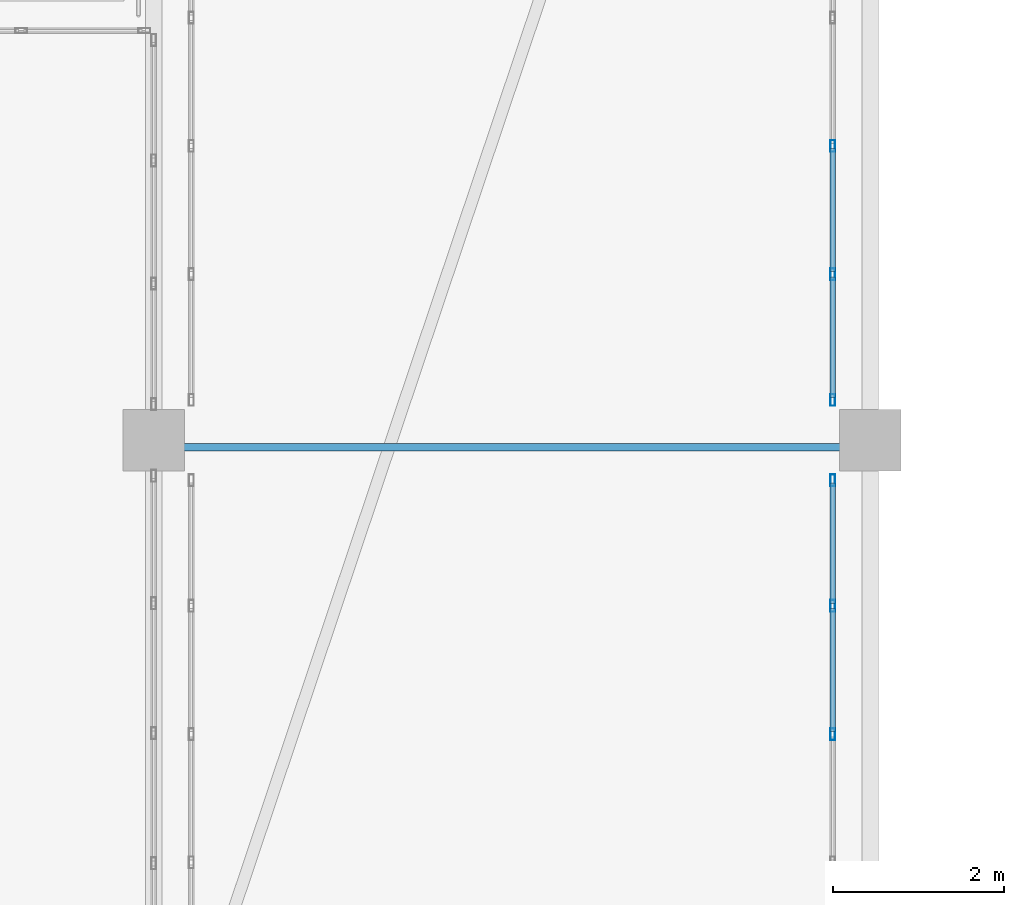
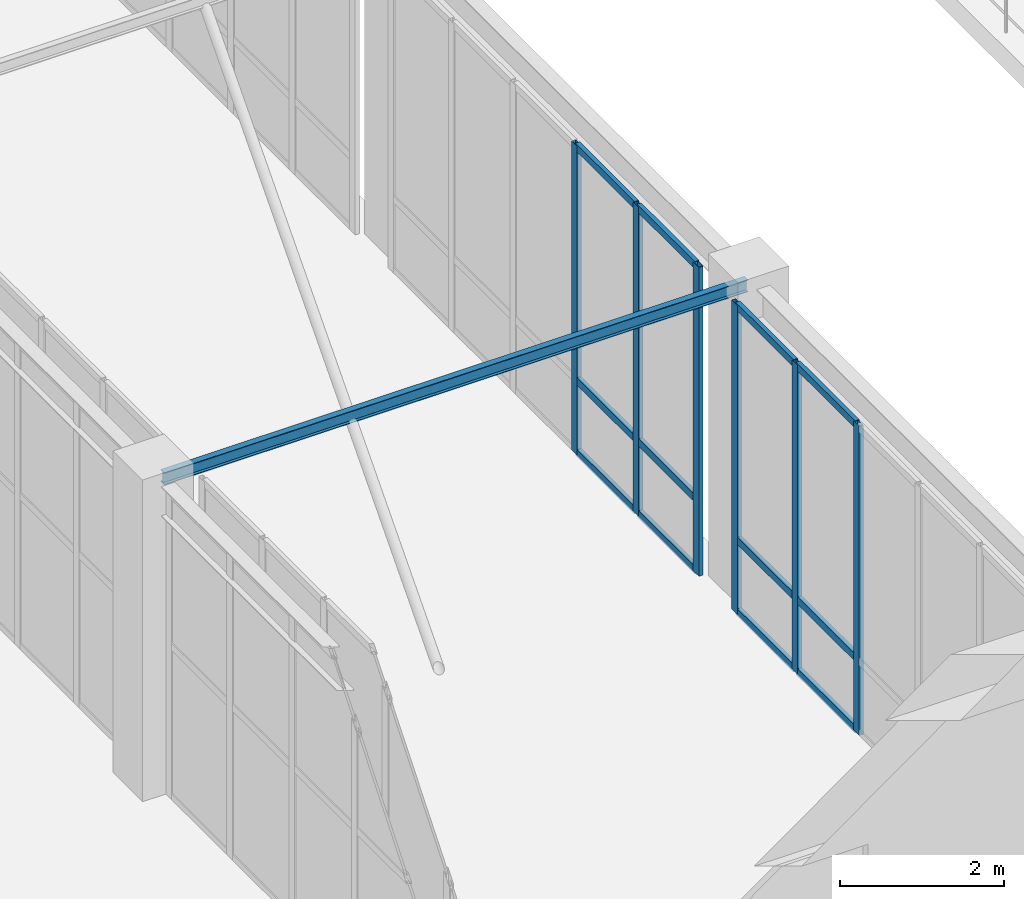
# One storey, part 68 of 158: 18 members, 1 beam, 2 elements without a shape of their own.
"""IFC4 building model written with IfcOpenShell, lengths in metres."""

from ifc_helpers import new_model, si_unit, direction, frame, origin, origin_2d, place, context, subcontext, project, spatial, hollow_rectangle, i_section, extrude, material, layer, layer_set, material_profile, profile_set, type_object, element, aggregate, save


model = new_model("IFC4")

# Units and contexts
model_context = context("Model", 3, precision=1e-05, world=origin(), true_north=direction((0.0, 1.0)))
body_context = subcontext(model_context, "Body", "Model", "MODEL_VIEW")
ifc_project = project(units=[si_unit("LENGTHUNIT", "METRE"), si_unit("AREAUNIT", "SQUARE_METRE"), si_unit("VOLUMEUNIT", "CUBIC_METRE"), si_unit("PLANEANGLEUNIT", "RADIAN"), si_unit("MASSUNIT", "GRAM", prefix="KILO")], contexts=[model_context])

# Site, building, storey
site_placement = place(None, origin())
site = spatial("IfcSite", under=ifc_project, at=site_placement, CompositionType="ELEMENT")
building_placement = place(site_placement, origin())
building = spatial("IfcBuilding", under=site, at=building_placement, Name="Trelvath General Hospital", CompositionType="ELEMENT")
storey_placement = place(building_placement, frame((0.0, 0.0, 8.10009765625)))
storey = spatial("IfcBuildingStorey", under=building, at=storey_placement, Name="L02", CompositionType="ELEMENT", Elevation=8.10009765625)

# Beam
ifc_material_1 = material(Name="Steel S355", Category="steel")
ifc_material_profile_1 = material_profile(ifc_material_1, i_section(OverallWidth=0.091064453125, OverallDepth=0.179931640625, WebThickness=0.00537109375, FlangeThickness=0.008056640625, at=origin_2d()), Name="IPE180")
ifc_profile_set_1 = profile_set([ifc_material_profile_1], Name="Steel S355")
beam_type = type_object("IfcBeamType", Name="BridgeJoist IPE180", PredefinedType="JOIST", material=ifc_profile_set_1)
beam_placement = place(storey_placement, frame((75.679931640625, 75.51611328125, 4.52001953125), z_axis=(1.0, 0.0, 0.0), x_axis=(0.0, 1.0, 0.0)))
element("IfcBeam", 1, at=beam_placement, inside=storey, type_object=beam_type, Name="Bridge Cross Joist BRG-N-C L03", PredefinedType="JOIST", context=body_context, shape_type="SweptSolid", body=[
    extrude(i_section(OverallWidth=0.091064453125, OverallDepth=0.179931640625, WebThickness=0.00537109375, FlangeThickness=0.008056640625, at=origin_2d()), origin(), (0.0, 0.0, 1.0), 8.239990234375),
])

# Curtain wall, members
ifc_material_2 = material(Name="Anodised aluminium and low-E glass", Category="aluminium")
ifc_layer = layer(ifc_material_2, 0.139892578125)
ifc_layer_set = layer_set([ifc_layer], Name="Anodised aluminium and low-E glass")
curtain_wall_type = type_object("IfcCurtainWallType", Name="CW Bridge 752 461", PredefinedType="USERDEFINED", material=ifc_layer_set)
curtain_wall_1_placement = place(storey_placement, origin())
curtain_wall_1 = element("IfcCurtainWall", 2, at=curtain_wall_1_placement, inside=storey, type_object=curtain_wall_type, Name="Glazed Bridge Curtain Wall BRG-N-C E L02", ObjectType="Unitised Glazed Curtain Wall", PredefinedType="USERDEFINED")
ifc_material_3 = material(Name="Anodised aluminium", Category="aluminium")
ifc_material_profile_2 = material_profile(ifc_material_3, hollow_rectangle(XDim=0.06005859375, YDim=0.139892578125, WallThickness=0.00390625, at=origin_2d()), Name="RHS60x140x4")
ifc_profile_set_2 = profile_set([ifc_material_profile_2], Name="Anodised aluminium")
member_type_1 = type_object("IfcMemberType", Name="CurtainMullion 60x140", PredefinedType="MULLION", material=ifc_profile_set_2)
member_1_placement = place(storey_placement, frame((83.56005859375, 75.1298828125, 0.0), z_axis=(0.0, 0.0, 1.0), x_axis=(1.0, 0.0, 0.0)))
member_1 = element("IfcMember", 3, at=member_1_placement, type_object=member_type_1, Name="CW-221 mullion 1", PredefinedType="MULLION", context=body_context, shape_type="SweptSolid", body=[
    extrude(hollow_rectangle(XDim=0.06005859375, YDim=0.139892578125, WallThickness=0.00390625, at=origin_2d()), origin(), (0.0, 0.0, 1.0), 4.60986328125),
])
member_2_placement = place(storey_placement, frame((83.56005859375, 73.656005859375, 0.0), z_axis=(0.0, 0.0, 1.0), x_axis=(1.0, 0.0, 0.0)))
member_2 = element("IfcMember", 4, at=member_2_placement, type_object=member_type_1, Name="CW-221 mullion 2", PredefinedType="MULLION", context=body_context, shape_type="SweptSolid", body=[
    extrude(hollow_rectangle(XDim=0.06005859375, YDim=0.139892578125, WallThickness=0.00390625, at=origin_2d()), origin(), (0.0, 0.0, 1.0), 4.60986328125),
])
member_3_placement = place(storey_placement, frame((83.56005859375, 72.152099609375, 0.0), z_axis=(0.0, 0.0, 1.0), x_axis=(1.0, 0.0, 0.0)))
member_3 = element("IfcMember", 5, at=member_3_placement, type_object=member_type_1, Name="CW-221 mullion 3", PredefinedType="MULLION", context=body_context, shape_type="SweptSolid", body=[
    extrude(hollow_rectangle(XDim=0.06005859375, YDim=0.139892578125, WallThickness=0.00390625, at=origin_2d()), origin(), (0.0, 0.0, 1.0), 4.60986328125),
])

curtain_wall_2_placement = place(storey_placement, origin())
curtain_wall_2 = element("IfcCurtainWall", 6, at=curtain_wall_2_placement, inside=storey, type_object=curtain_wall_type, Name="Glazed Bridge Curtain Wall BRG-N-C E L02", ObjectType="Unitised Glazed Curtain Wall", PredefinedType="USERDEFINED")
member_4_placement = place(storey_placement, frame((83.56005859375, 79.048095703125, 0.0), z_axis=(0.0, 0.0, 1.0), x_axis=(1.0, 0.0, 0.0)))
member_4 = element("IfcMember", 7, at=member_4_placement, type_object=member_type_1, Name="CW-223 mullion 4", PredefinedType="MULLION", context=body_context, shape_type="SweptSolid", body=[
    extrude(hollow_rectangle(XDim=0.06005859375, YDim=0.139892578125, WallThickness=0.00390625, at=origin_2d()), origin(), (0.0, 0.0, 1.0), 4.60986328125),
])
member_5_placement = place(storey_placement, frame((83.56005859375, 77.5439453125, 0.0), z_axis=(0.0, 0.0, 1.0), x_axis=(1.0, 0.0, 0.0)))
member_5 = element("IfcMember", 8, at=member_5_placement, type_object=member_type_1, Name="CW-223 mullion 5", PredefinedType="MULLION", context=body_context, shape_type="SweptSolid", body=[
    extrude(hollow_rectangle(XDim=0.06005859375, YDim=0.139892578125, WallThickness=0.00390625, at=origin_2d()), origin(), (0.0, 0.0, 1.0), 4.60986328125),
])
member_6_placement = place(storey_placement, frame((83.56005859375, 76.070068359375, 0.0), z_axis=(0.0, 0.0, 1.0), x_axis=(1.0, 0.0, 0.0)))
member_6 = element("IfcMember", 9, at=member_6_placement, type_object=member_type_1, Name="CW-223 mullion 6", PredefinedType="MULLION", context=body_context, shape_type="SweptSolid", body=[
    extrude(hollow_rectangle(XDim=0.06005859375, YDim=0.139892578125, WallThickness=0.00390625, at=origin_2d()), origin(), (0.0, 0.0, 1.0), 4.60986328125),
])

# Member
ifc_material_4 = material(Name="Anodised aluminium", Category="aluminium")
ifc_material_profile_3 = material_profile(ifc_material_4, hollow_rectangle(XDim=0.06005859375, YDim=0.110107421875, WallThickness=0.00390625, at=origin_2d()), Name="RHS60x110x4")
ifc_profile_set_3 = profile_set([ifc_material_profile_3], Name="Anodised aluminium")
member_type_2 = type_object("IfcMemberType", Name="CurtainTransom 60x110", PredefinedType="USERDEFINED", material=ifc_profile_set_3)
member_7_placement = place(storey_placement, frame((83.56005859375, 75.10009765625, 0.02978515625), z_axis=(0.0, -1.0, 0.0), x_axis=(1.0, 0.0, 0.0)))
member_7 = element("IfcMember", 10, at=member_7_placement, type_object=member_type_2, Name="CW-221 transom 1.1", ObjectType="TRANSOM", PredefinedType="USERDEFINED", context=body_context, shape_type="SweptSolid", body=[
    extrude(hollow_rectangle(XDim=0.06005859375, YDim=0.110107421875, WallThickness=0.00390625, at=origin_2d()), origin(), (0.0, 0.0, 1.0), 1.4140625),
])

member_8_placement = place(storey_placement, frame((83.56005859375, 75.10009765625, 1.099853515625), z_axis=(0.0, -1.0, 0.0), x_axis=(1.0, 0.0, 0.0)))
member_8 = element("IfcMember", 11, at=member_8_placement, type_object=member_type_2, Name="CW-221 transom 1.2", ObjectType="TRANSOM", PredefinedType="USERDEFINED", context=body_context, shape_type="SweptSolid", body=[
    extrude(hollow_rectangle(XDim=0.06005859375, YDim=0.110107421875, WallThickness=0.00390625, at=origin_2d()), origin(), (0.0, 0.0, 1.0), 1.4140625),
])

member_9_placement = place(storey_placement, frame((83.56005859375, 75.10009765625, 4.579833984375), z_axis=(0.0, -1.0, 0.0), x_axis=(1.0, 0.0, 0.0)))
member_9 = element("IfcMember", 12, at=member_9_placement, type_object=member_type_2, Name="CW-221 transom 1.3", ObjectType="TRANSOM", PredefinedType="USERDEFINED", context=body_context, shape_type="SweptSolid", body=[
    extrude(hollow_rectangle(XDim=0.06005859375, YDim=0.110107421875, WallThickness=0.00390625, at=origin_2d()), origin(), (0.0, 0.0, 1.0), 1.4140625),
])

member_10_placement = place(storey_placement, frame((83.56005859375, 73.6259765625, 0.02978515625), z_axis=(0.0, -1.0, 0.0), x_axis=(1.0, 0.0, 0.0)))
member_10 = element("IfcMember", 13, at=member_10_placement, type_object=member_type_2, Name="CW-221 transom 2.1", ObjectType="TRANSOM", PredefinedType="USERDEFINED", context=body_context, shape_type="SweptSolid", body=[
    extrude(hollow_rectangle(XDim=0.06005859375, YDim=0.110107421875, WallThickness=0.00390625, at=origin_2d()), origin(), (0.0, 0.0, 1.0), 1.444091796875),
])

member_11_placement = place(storey_placement, frame((83.56005859375, 73.6259765625, 1.099853515625), z_axis=(0.0, -1.0, 0.0), x_axis=(1.0, 0.0, 0.0)))
member_11 = element("IfcMember", 14, at=member_11_placement, type_object=member_type_2, Name="CW-221 transom 2.2", ObjectType="TRANSOM", PredefinedType="USERDEFINED", context=body_context, shape_type="SweptSolid", body=[
    extrude(hollow_rectangle(XDim=0.06005859375, YDim=0.110107421875, WallThickness=0.00390625, at=origin_2d()), origin(), (0.0, 0.0, 1.0), 1.444091796875),
])

member_12_placement = place(storey_placement, frame((83.56005859375, 73.6259765625, 4.579833984375), z_axis=(0.0, -1.0, 0.0), x_axis=(1.0, 0.0, 0.0)))
member_12 = element("IfcMember", 15, at=member_12_placement, type_object=member_type_2, Name="CW-221 transom 2.3", ObjectType="TRANSOM", PredefinedType="USERDEFINED", context=body_context, shape_type="SweptSolid", body=[
    extrude(hollow_rectangle(XDim=0.06005859375, YDim=0.110107421875, WallThickness=0.00390625, at=origin_2d()), origin(), (0.0, 0.0, 1.0), 1.444091796875),
])

aggregate(curtain_wall_1, [member_1, member_2, member_3, member_7, member_8, member_9, member_10, member_11, member_12])

member_13_placement = place(storey_placement, frame((83.56005859375, 79.01806640625, 0.02978515625), z_axis=(0.0, -1.0, 0.0), x_axis=(1.0, 0.0, 0.0)))
member_13 = element("IfcMember", 16, at=member_13_placement, type_object=member_type_2, Name="CW-223 transom 4.1", ObjectType="TRANSOM", PredefinedType="USERDEFINED", context=body_context, shape_type="SweptSolid", body=[
    extrude(hollow_rectangle(XDim=0.06005859375, YDim=0.110107421875, WallThickness=0.00390625, at=origin_2d()), origin(), (0.0, 0.0, 1.0), 1.444091796875),
])

member_14_placement = place(storey_placement, frame((83.56005859375, 79.01806640625, 1.099853515625), z_axis=(0.0, -1.0, 0.0), x_axis=(1.0, 0.0, 0.0)))
member_14 = element("IfcMember", 17, at=member_14_placement, type_object=member_type_2, Name="CW-223 transom 4.2", ObjectType="TRANSOM", PredefinedType="USERDEFINED", context=body_context, shape_type="SweptSolid", body=[
    extrude(hollow_rectangle(XDim=0.06005859375, YDim=0.110107421875, WallThickness=0.00390625, at=origin_2d()), origin(), (0.0, 0.0, 1.0), 1.444091796875),
])

member_15_placement = place(storey_placement, frame((83.56005859375, 79.01806640625, 4.579833984375), z_axis=(0.0, -1.0, 0.0), x_axis=(1.0, 0.0, 0.0)))
member_15 = element("IfcMember", 18, at=member_15_placement, type_object=member_type_2, Name="CW-223 transom 4.3", ObjectType="TRANSOM", PredefinedType="USERDEFINED", context=body_context, shape_type="SweptSolid", body=[
    extrude(hollow_rectangle(XDim=0.06005859375, YDim=0.110107421875, WallThickness=0.00390625, at=origin_2d()), origin(), (0.0, 0.0, 1.0), 1.444091796875),
])

member_16_placement = place(storey_placement, frame((83.56005859375, 77.513916015625, 0.02978515625), z_axis=(0.0, -1.0, 0.0), x_axis=(1.0, 0.0, 0.0)))
member_16 = element("IfcMember", 19, at=member_16_placement, type_object=member_type_2, Name="CW-223 transom 5.1", ObjectType="TRANSOM", PredefinedType="USERDEFINED", context=body_context, shape_type="SweptSolid", body=[
    extrude(hollow_rectangle(XDim=0.06005859375, YDim=0.110107421875, WallThickness=0.00390625, at=origin_2d()), origin(), (0.0, 0.0, 1.0), 1.413818359375),
])

member_17_placement = place(storey_placement, frame((83.56005859375, 77.513916015625, 1.099853515625), z_axis=(0.0, -1.0, 0.0), x_axis=(1.0, 0.0, 0.0)))
member_17 = element("IfcMember", 20, at=member_17_placement, type_object=member_type_2, Name="CW-223 transom 5.2", ObjectType="TRANSOM", PredefinedType="USERDEFINED", context=body_context, shape_type="SweptSolid", body=[
    extrude(hollow_rectangle(XDim=0.06005859375, YDim=0.110107421875, WallThickness=0.00390625, at=origin_2d()), origin(), (0.0, 0.0, 1.0), 1.413818359375),
])

member_18_placement = place(storey_placement, frame((83.56005859375, 77.513916015625, 4.579833984375), z_axis=(0.0, -1.0, 0.0), x_axis=(1.0, 0.0, 0.0)))
member_18 = element("IfcMember", 21, at=member_18_placement, type_object=member_type_2, Name="CW-223 transom 5.3", ObjectType="TRANSOM", PredefinedType="USERDEFINED", context=body_context, shape_type="SweptSolid", body=[
    extrude(hollow_rectangle(XDim=0.06005859375, YDim=0.110107421875, WallThickness=0.00390625, at=origin_2d()), origin(), (0.0, 0.0, 1.0), 1.413818359375),
])

aggregate(curtain_wall_2, [member_4, member_5, member_6, member_13, member_14, member_15, member_16, member_17, member_18])

save(model, "model.ifc")
